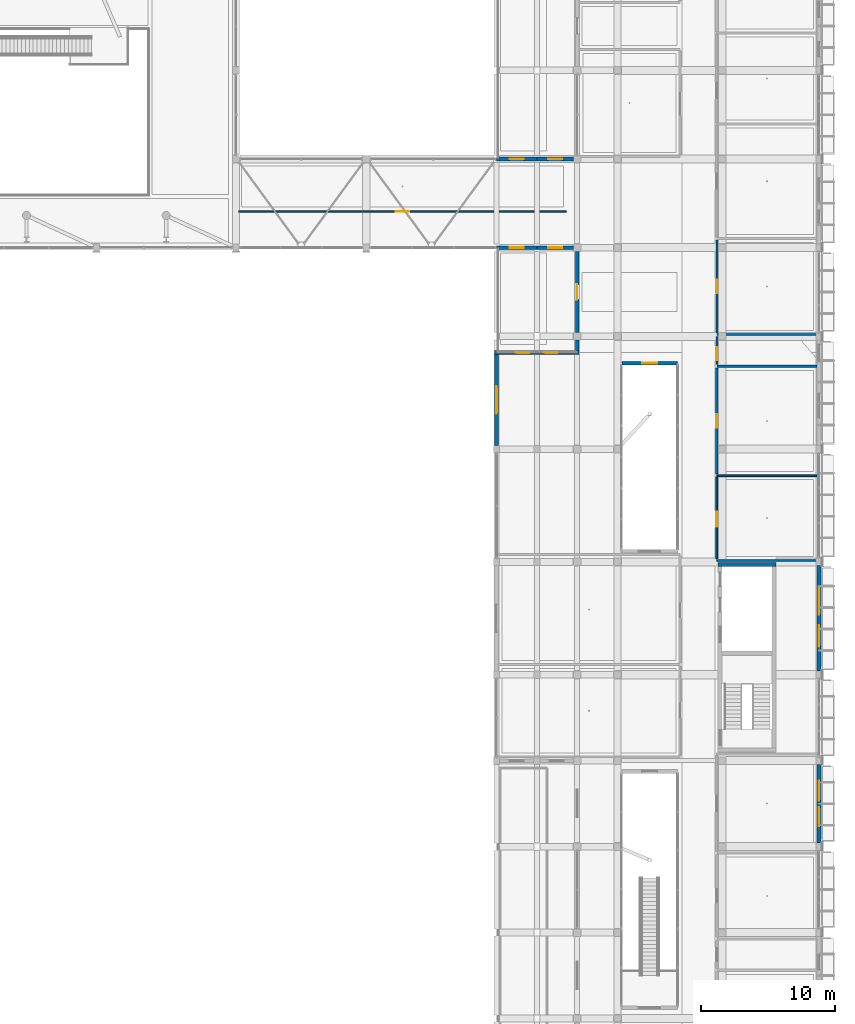
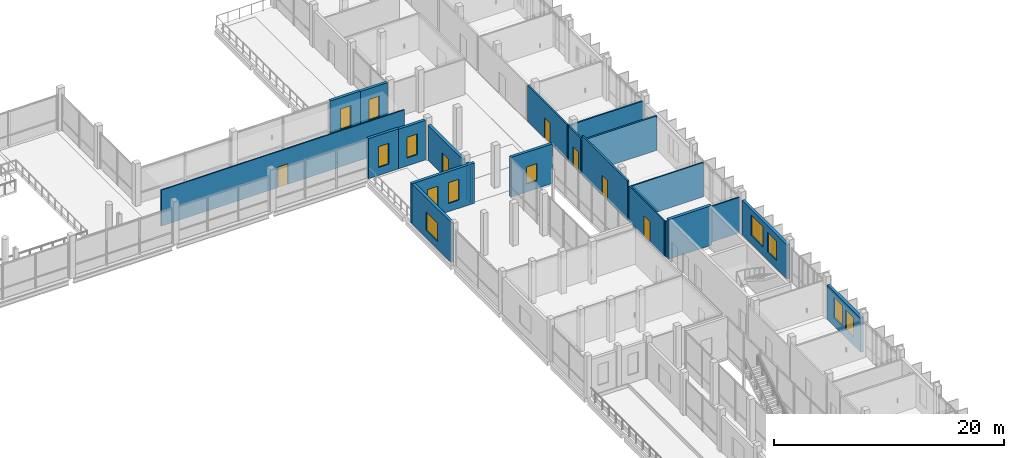
# One storey, part 63 of 95: 21 walls, 12 windows, 6 doors, 18 openings.
"""IFC4 building model written with IfcOpenShell, lengths in metres."""

from ifc_helpers import new_model, si_unit, derived_unit, direction, frame, frame_2d, origin, origin_with_axes, place, context, subcontext, project, spatial, rectangle, extrude, material, layer, layer_set, type_object, element, fill, save


model = new_model("IFC4")

# Units and contexts
model_context = context("Model", 3, precision=1e-05, world=origin(), true_north=direction((0.0, 1.0)))
body_context = subcontext(model_context, "Body", "Model", "MODEL_VIEW")
ifc_project = project(units=[si_unit("LENGTHUNIT", "METRE"), si_unit("AREAUNIT", "SQUARE_METRE"), si_unit("VOLUMEUNIT", "CUBIC_METRE"), si_unit("PLANEANGLEUNIT", "RADIAN"), si_unit("MASSUNIT", "GRAM", prefix="KILO"), derived_unit("THERMALTRANSMITTANCEUNIT", [(si_unit("POWERUNIT", "WATT"), 1), (si_unit("LENGTHUNIT", "METRE"), -2), (si_unit("THERMODYNAMICTEMPERATUREUNIT", "KELVIN"), -1)])], contexts=[model_context])

# Site, building, storey
site_placement = place(None, origin())
site = spatial("IfcSite", under=ifc_project, at=site_placement, CompositionType="ELEMENT")
building_placement = place(site_placement, origin())
building = spatial("IfcBuilding", under=site, at=building_placement, Name="Braskholm Square Health Centre", CompositionType="ELEMENT")
storey_placement = place(building_placement, frame((0.0, 0.0, 4.800048828125)))
storey = spatial("IfcBuildingStorey", under=building, at=storey_placement, Name="L02", CompositionType="ELEMENT", Elevation=4.800048828125)

# Wall, opening, door
ifc_material_1 = material(Name="Fire-rated gypsum board barrier")
ifc_layer_1 = layer(ifc_material_1, 0.175048828125)
ifc_layer_set_1 = layer_set([ifc_layer_1], Name="Fire-rated gypsum board barrier")
wall_type_1 = type_object("IfcWallType", Name="AmbulatoryFirePartition175", PredefinedType="PARTITIONING", material=ifc_layer_set_1)
wall_1_placement = place(storey_placement, frame((156.199951171875, 70.340087890625, 0.0), z_axis=(0.0, 0.0, 1.0), x_axis=(0.0, 1.0, 0.0)))
wall_1 = element("IfcWall", 1, at=wall_1_placement, inside=storey, type_object=wall_type_1, Name="Interior partition PWALL-L02-0352", PredefinedType="PARTITIONING", context=body_context, shape_type="SweptSolid", body=[
    extrude(rectangle(XDim=7.909912109375, YDim=0.175048828125, at=frame_2d((3.955078125, 0.0))), origin(), (0.0, 0.0, 1.0), 4.195068359375),
])
opening_1_placement = place(wall_1_placement, frame((3.465087890625, 0.0, 0.0)))
opening_1 = element("IfcOpeningElement", 2, at=opening_1_placement, cuts=wall_1, Name="Opening D-10", PredefinedType="OPENING", context=body_context, shape_type="SweptSolid", body=[
    extrude(rectangle(XDim=0.97998046875, YDim=2.1201171875, at=frame_2d((0.489990234375, 1.06005859375))), frame((0.0, 0.09765625, 0.0), z_axis=(0.0, -1.0, 0.0), x_axis=(1.0, 0.0, 0.0)), (0.0, 0.0, 1.0), 0.195068359375),
])
ifc_material_2 = material(Name="Architectural bronze anodised aluminium", Category="aluminium")
door_type_1 = type_object("IfcDoorType", Name="DoorUtilityStore980x2120", OperationType="NOTDEFINED", PredefinedType="DOOR", material=ifc_material_2)
door_1_placement = place(opening_1_placement, frame((0.97998046875, 0.0, 0.0), z_axis=(0.0, 0.0, 1.0), x_axis=(-1.0, 0.0, 0.0)))
door_1 = element("IfcDoor", 3, at=door_1_placement, inside=storey, type_object=door_type_1, Name="Interior door 0164 L02", OperationType="SINGLE_SWING_LEFT", OverallHeight=2.1201171875, OverallWidth=0.97998046875, PredefinedType="DOOR", context=body_context, shape_type="SweptSolid", body=[
    extrude(rectangle(XDim=0.97998046875, YDim=2.1201171875, at=frame_2d((0.489990234375, 1.06005859375))), frame((0.0, 0.02490234375, 0.0), z_axis=(0.0, -1.0, 0.0), x_axis=(1.0, 0.0, 0.0)), (0.0, 0.0, 1.0), 0.050048828125),
])
fill(opening_1, door_1)

# Wall
wall_2_placement = place(storey_placement, frame((156.199951171875, 78.3701171875, 0.0), z_axis=(0.0, 0.0, 1.0), x_axis=(1.0, 0.0, 0.0)))
element("IfcWall", 4, at=wall_2_placement, inside=storey, type_object=wall_type_1, Name="Interior partition PWALL-L02-0353", PredefinedType="PARTITIONING", context=body_context, shape_type="SweptSolid", body=[
    extrude(rectangle(XDim=7.4599609375, YDim=0.175048828125, at=frame_2d((3.72998046875, 0.0))), origin(), (0.0, 0.0, 1.0), 3.64501953125),
])

# Wall, opening, door
ifc_material_3 = material(Name="Acoustic gypsum board partition")
ifc_layer_2 = layer(ifc_material_3, 0.125)
ifc_layer_set_2 = layer_set([ifc_layer_2], Name="Acoustic gypsum board partition")
wall_type_2 = type_object("IfcWallType", Name="ClinicalExamPartition125", PredefinedType="PARTITIONING", material=ifc_layer_set_2)
wall_3_placement = place(storey_placement, frame((156.199951171875, 64.02001953125, 0.0), z_axis=(0.0, 0.0, 1.0), x_axis=(0.0, 1.0, 0.0)))
wall_3 = element("IfcWall", 5, at=wall_3_placement, inside=storey, type_object=wall_type_2, Name="Interior partition PWALL-L02-0349", PredefinedType="PARTITIONING", context=body_context, shape_type="SweptSolid", body=[
    extrude(rectangle(XDim=6.080078125, YDim=0.125, at=frame_2d((3.0400390625, 0.0))), origin(), (0.0, 0.0, 1.0), 3.794921875),
])
opening_2_placement = place(wall_3_placement, frame((2.403076171875, 0.0, 0.0)))
opening_2 = element("IfcOpeningElement", 6, at=opening_2_placement, cuts=wall_3, Name="Opening D-03", PredefinedType="OPENING", context=body_context, shape_type="SweptSolid", body=[
    extrude(rectangle(XDim=1.1201171875, YDim=2.199951171875, at=frame_2d((0.56005859375, 1.10009765625))), frame((0.0, 0.072509765625, 0.0), z_axis=(0.0, -1.0, 0.0), x_axis=(1.0, 0.0, 0.0)), (0.0, 0.0, 1.0), 0.14501953125),
])
door_type_2 = type_object("IfcDoorType", Name="DoorProcedure1120x2200", OperationType="NOTDEFINED", PredefinedType="DOOR", material=ifc_material_2)
door_2_placement = place(opening_2_placement, frame((1.1201171875, 0.0, 0.0), z_axis=(0.0, 0.0, 1.0), x_axis=(-1.0, 0.0, 0.0)))
door_2 = element("IfcDoor", 7, at=door_2_placement, inside=storey, type_object=door_type_2, Name="Interior door 0163 L02", OperationType="SINGLE_SWING_RIGHT", OverallHeight=2.199951171875, OverallWidth=1.1201171875, PredefinedType="DOOR", context=body_context, shape_type="SweptSolid", body=[
    extrude(rectangle(XDim=1.1201171875, YDim=2.199951171875, at=frame_2d((0.56005859375, 1.10009765625))), frame((0.0, 0.02490234375, 0.0), z_axis=(0.0, -1.0, 0.0), x_axis=(1.0, 0.0, 0.0)), (0.0, 0.0, 1.0), 0.050048828125),
])
fill(opening_2, door_2)

# Walls
wall_4_placement = place(storey_placement, frame((156.199951171875, 63.89990234375, 0.0), z_axis=(0.0, 0.0, 1.0), x_axis=(1.0, 0.0, 0.0)))
element("IfcWall", 8, at=wall_4_placement, inside=storey, type_object=wall_type_2, Name="Interior partition PWALL-L02-0350", PredefinedType="PARTITIONING", context=body_context, shape_type="SweptSolid", body=[
    extrude(rectangle(XDim=7.4599609375, YDim=0.125, at=frame_2d((3.72998046875, 0.0))), origin(), (0.0, 0.0, 1.0), 3.794921875),
])
wall_5_placement = place(storey_placement, frame((156.199951171875, 70.219970703125, 0.0), z_axis=(0.0, 0.0, 1.0), x_axis=(1.0, 0.0, 0.0)))
element("IfcWall", 9, at=wall_5_placement, inside=storey, type_object=wall_type_2, Name="Interior partition PWALL-L02-0351", PredefinedType="PARTITIONING", context=body_context, shape_type="SweptSolid", body=[
    extrude(rectangle(XDim=7.4599609375, YDim=0.125, at=frame_2d((3.72998046875, 0.0))), origin(), (0.0, 0.0, 1.0), 3.64501953125),
])

# Wall, opening, door
wall_6_placement = place(storey_placement, frame((120.60009765625, 89.89990234375, 0.0), z_axis=(0.0, 0.0, 1.0), x_axis=(1.0, 0.0, 0.0)))
wall_6 = element("IfcWall", 10, at=wall_6_placement, inside=storey, type_object=wall_type_2, Name="Interior partition PWALL-L02-0365", PredefinedType="PARTITIONING", context=body_context, shape_type="SweptSolid", body=[
    extrude(rectangle(XDim=24.39990234375, YDim=0.125, at=frame_2d((12.199951171875, 0.0))), origin(), (0.0, 0.0, 1.0), 3.81494140625),
])
opening_3_placement = place(wall_6_placement, frame((11.68994140625, 0.0, 0.0)))
opening_3 = element("IfcOpeningElement", 11, at=opening_3_placement, cuts=wall_6, Name="Opening D-25", PredefinedType="OPENING", context=body_context, shape_type="SweptSolid", body=[
    extrude(rectangle(XDim=1.02001953125, YDim=2.179931640625, at=frame_2d((0.510009765625, 1.08984375))), frame((0.0, 0.072509765625, 0.0), z_axis=(0.0, -1.0, 0.0), x_axis=(1.0, 0.0, 0.0)), (0.0, 0.0, 1.0), 0.14501953125),
])
door_type_3 = type_object("IfcDoorType", Name="DoorConsultWide1020x2180", OperationType="NOTDEFINED", PredefinedType="DOOR", material=ifc_material_2)
door_3_placement = place(opening_3_placement, origin_with_axes())
door_3 = element("IfcDoor", 12, at=door_3_placement, inside=storey, type_object=door_type_3, Name="Interior door 0171 L02", OperationType="SINGLE_SWING_RIGHT", OverallHeight=2.179931640625, OverallWidth=1.02001953125, PredefinedType="DOOR", context=body_context, shape_type="SweptSolid", body=[
    extrude(rectangle(XDim=1.02001953125, YDim=2.179931640625, at=frame_2d((0.510009765625, 1.08984375))), frame((0.0, 0.02490234375, 0.0), z_axis=(0.0, -1.0, 0.0), x_axis=(1.0, 0.0, 0.0)), (0.0, 0.0, 1.0), 0.050048828125),
])
fill(opening_3, door_3)

ifc_layer_3 = layer(ifc_material_3, 0.14990234375)
ifc_layer_set_3 = layer_set([ifc_layer_3], Name="Acoustic gypsum board partition")
wall_type_3 = type_object("IfcWallType", Name="CorridorAcousticPartition150", PredefinedType="PARTITIONING", material=ifc_layer_set_3)
wall_7_placement = place(storey_placement, frame((156.199951171875, 78.489990234375, 0.0), z_axis=(0.0, 0.0, 1.0), x_axis=(0.0, 1.0, 0.0)))
wall_7 = element("IfcWall", 13, at=wall_7_placement, inside=storey, type_object=wall_type_3, Name="Interior partition PWALL-L02-0354", PredefinedType="PARTITIONING", context=body_context, shape_type="SweptSolid", body=[
    extrude(rectangle(XDim=2.110107421875, YDim=0.14990234375, at=frame_2d((1.05517578125, 0.0))), origin(), (0.0, 0.0, 1.0), 3.794921875),
])
opening_4_placement = place(wall_7_placement, frame((0.339111328125, 0.0, 0.0)))
opening_4 = element("IfcOpeningElement", 14, at=opening_4_placement, cuts=wall_7, Name="Opening D-05", PredefinedType="OPENING", context=body_context, shape_type="SweptSolid", body=[
    extrude(rectangle(XDim=0.9599609375, YDim=2.10009765625, at=frame_2d((0.47998046875, 1.050048828125))), frame((0.0, 0.0849609375, 0.0), z_axis=(0.0, -1.0, 0.0), x_axis=(1.0, 0.0, 0.0)), (0.0, 0.0, 1.0), 0.169921875),
])
door_type_4 = type_object("IfcDoorType", Name="DoorAccessibleWC960x2100", OperationType="NOTDEFINED", PredefinedType="DOOR", material=ifc_material_2)
door_4_placement = place(opening_4_placement, frame((0.9599609375, 0.0, 0.0), z_axis=(0.0, 0.0, 1.0), x_axis=(-1.0, 0.0, 0.0)))
door_4 = element("IfcDoor", 15, at=door_4_placement, inside=storey, type_object=door_type_4, Name="Interior door 0165 L02", OperationType="SINGLE_SWING_RIGHT", OverallHeight=2.10009765625, OverallWidth=0.9599609375, PredefinedType="DOOR", context=body_context, shape_type="SweptSolid", body=[
    extrude(rectangle(XDim=0.9599609375, YDim=2.10009765625, at=frame_2d((0.47998046875, 1.050048828125))), frame((0.0, 0.02490234375, 0.0), z_axis=(0.0, -1.0, 0.0), x_axis=(1.0, 0.0, 0.0)), (0.0, 0.0, 1.0), 0.050048828125),
])
fill(opening_4, door_4)

# Wall
wall_8_placement = place(storey_placement, frame((156.199951171875, 80.719970703125, 0.0), z_axis=(0.0, 0.0, 1.0), x_axis=(1.0, 0.0, 0.0)))
element("IfcWall", 16, at=wall_8_placement, inside=storey, type_object=wall_type_3, Name="Interior partition PWALL-L02-0355", PredefinedType="PARTITIONING", context=body_context, shape_type="SweptSolid", body=[
    extrude(rectangle(XDim=7.4599609375, YDim=0.14990234375, at=frame_2d((3.72998046875, 0.0))), origin(), (0.0, 0.0, 1.0), 3.794921875),
])

# Wall, opening, door
wall_9_placement = place(storey_placement, frame((156.199951171875, 80.840087890625, 0.0), z_axis=(0.0, 0.0, 1.0), x_axis=(0.0, 1.0, 0.0)))
wall_9 = element("IfcWall", 17, at=wall_9_placement, inside=storey, type_object=wall_type_3, Name="Interior partition PWALL-L02-0356", PredefinedType="PARTITIONING", context=body_context, shape_type="SweptSolid", body=[
    extrude(rectangle(XDim=6.919921875, YDim=0.14990234375, at=frame_2d((3.4599609375, 0.0))), origin(), (0.0, 0.0, 1.0), 3.794921875),
])
opening_5_placement = place(wall_9_placement, frame((2.9599609375, 0.0, 0.0)))
opening_5 = element("IfcOpeningElement", 18, at=opening_5_placement, cuts=wall_9, Name="Opening D-02", PredefinedType="OPENING", context=body_context, shape_type="SweptSolid", body=[
    extrude(rectangle(XDim=1.0, YDim=2.14990234375, at=frame_2d((0.5, 1.074951171875))), frame((0.0, 0.0849609375, 0.0), z_axis=(0.0, -1.0, 0.0), x_axis=(1.0, 0.0, 0.0)), (0.0, 0.0, 1.0), 0.169921875),
])
door_type_5 = type_object("IfcDoorType", Name="DoorExamSingle1000x2150", OperationType="NOTDEFINED", PredefinedType="DOOR", material=ifc_material_2)
door_5_placement = place(opening_5_placement, frame((1.0, 0.0, 0.0), z_axis=(0.0, 0.0, 1.0), x_axis=(-1.0, 0.0, 0.0)))
door_5 = element("IfcDoor", 19, at=door_5_placement, inside=storey, type_object=door_type_5, Name="Interior door 0166 L02", OperationType="SINGLE_SWING_LEFT", OverallHeight=2.14990234375, OverallWidth=1.0, PredefinedType="DOOR", context=body_context, shape_type="SweptSolid", body=[
    extrude(rectangle(XDim=1.0, YDim=2.14990234375, at=frame_2d((0.5, 1.074951171875))), frame((0.0, 0.02490234375, 0.0), z_axis=(0.0, -1.0, 0.0), x_axis=(1.0, 0.0, 0.0)), (0.0, 0.0, 1.0), 0.050048828125),
])
fill(opening_5, door_5)

# Wall, openings, windows
ifc_material_4 = material(Name="Precast concrete C40/50 architectural white", Category="concrete")
ifc_layer_4 = layer(ifc_material_4, 0.280029296875)
ifc_layer_set_4 = layer_set([ifc_layer_4], Name="Precast concrete C40/50 architectural white")
wall_type_4 = type_object("IfcWallType", Name="ExteriorPrecastSpandrelWall280", PredefinedType="SOLIDWALL", material=ifc_layer_set_4)
wall_10_placement = place(storey_placement, frame((163.800048828125, 42.882080078125, 0.0), z_axis=(0.0, 0.0, 1.0), x_axis=(0.0, 1.0, 0.0)))
wall_10 = element("IfcWall", 20, at=wall_10_placement, inside=storey, type_object=wall_type_4, Name="Exterior wall EWALL-L02-0065", PredefinedType="SOLIDWALL", context=body_context, shape_type="SweptSolid", body=[
    extrude(rectangle(XDim=5.8359375, YDim=0.280029296875, at=frame_2d((2.91796875, 0.0))), origin(), (0.0, 0.0, 1.0), 3.64990234375),
])
opening_6_placement = place(wall_10_placement, frame((1.2451171875, 0.0, 0.8798828125)))
opening_6 = element("IfcOpeningElement", 21, at=opening_6_placement, cuts=wall_10, Name="Opening WN-14", PredefinedType="OPENING", context=body_context, shape_type="SweptSolid", body=[
    extrude(rectangle(XDim=1.39990234375, YDim=2.050048828125, at=frame_2d((0.699951171875, 1.02490234375))), frame((0.0, 0.14990234375, 0.0), z_axis=(0.0, -1.0, 0.0), x_axis=(1.0, 0.0, 0.0)), (0.0, 0.0, 1.0), 0.300048828125),
])
opening_7_placement = place(wall_10_placement, frame((3.14111328125, 0.0, 0.8798828125)))
opening_7 = element("IfcOpeningElement", 22, at=opening_7_placement, cuts=wall_10, Name="Opening WN-03", PredefinedType="OPENING", context=body_context, shape_type="SweptSolid", body=[
    extrude(rectangle(XDim=1.5, YDim=2.199951171875, at=frame_2d((0.75, 1.10009765625))), frame((0.0, 0.14990234375, 0.0), z_axis=(0.0, -1.0, 0.0), x_axis=(1.0, 0.0, 0.0)), (0.0, 0.0, 1.0), 0.300048828125),
])
ifc_material_5 = material(Name="Low-E triple insulating glass (VLT 0.64)", Category="glass")
window_type_1 = type_object("IfcWindowType", Name="WinArtDecoTwin1500x2200", PartitioningType="SINGLE_PANEL", PredefinedType="WINDOW", material=ifc_material_5)
window_1_placement = place(opening_7_placement, origin_with_axes())
window_1 = element("IfcWindow", 23, at=window_1_placement, inside=storey, type_object=window_type_1, Name="Exterior window 0112 L02", OverallHeight=2.199951171875, OverallWidth=1.5, PartitioningType="SINGLE_PANEL", PredefinedType="WINDOW", context=body_context, shape_type="SweptSolid", body=[
    extrude(rectangle(XDim=1.5, YDim=2.199951171875, at=frame_2d((0.75, 1.10009765625))), frame((0.0, 0.030029296875, 0.0), z_axis=(0.0, -1.0, 0.0), x_axis=(1.0, 0.0, 0.0)), (0.0, 0.0, 1.0), 0.06005859375),
])
fill(opening_7, window_1)
window_type_2 = type_object("IfcWindowType", Name="WinClinicalTall1400x2050", PartitioningType="SINGLE_PANEL", PredefinedType="WINDOW", material=ifc_material_5)
window_2_placement = place(opening_6_placement, origin_with_axes())
window_2 = element("IfcWindow", 24, at=window_2_placement, inside=storey, type_object=window_type_2, Name="Exterior window 0111 L02", OverallHeight=2.050048828125, OverallWidth=1.39990234375, PartitioningType="SINGLE_PANEL", PredefinedType="WINDOW", context=body_context, shape_type="SweptSolid", body=[
    extrude(rectangle(XDim=1.39990234375, YDim=2.050048828125, at=frame_2d((0.699951171875, 1.02490234375))), frame((0.0, 0.030029296875, 0.0), z_axis=(0.0, -1.0, 0.0), x_axis=(1.0, 0.0, 0.0)), (0.0, 0.0, 1.0), 0.06005859375),
])
fill(opening_6, window_2)

wall_11_placement = place(storey_placement, frame((163.800048828125, 55.681884765625, 0.0), z_axis=(0.0, 0.0, 1.0), x_axis=(0.0, 1.0, 0.0)))
wall_11 = element("IfcWall", 25, at=wall_11_placement, inside=storey, type_object=wall_type_4, Name="Exterior wall EWALL-L02-0066", PredefinedType="SOLIDWALL", context=body_context, shape_type="SweptSolid", body=[
    extrude(rectangle(XDim=7.836181640625, YDim=0.280029296875, at=frame_2d((3.91796875, 0.0))), origin(), (0.0, 0.0, 1.0), 3.64990234375),
])
opening_8_placement = place(wall_11_placement, frame((1.81201171875, 0.0, 0.8798828125)))
opening_8 = element("IfcOpeningElement", 26, at=opening_8_placement, cuts=wall_11, Name="Opening WN-15", PredefinedType="OPENING", context=body_context, shape_type="SweptSolid", body=[
    extrude(rectangle(XDim=1.60009765625, YDim=2.050048828125, at=frame_2d((0.800048828125, 1.02490234375))), frame((0.0, 0.14990234375, 0.0), z_axis=(0.0, -1.0, 0.0), x_axis=(1.0, 0.0, 0.0)), (0.0, 0.0, 1.0), 0.300048828125),
])
opening_9_placement = place(wall_11_placement, frame((4.174072265625, 0.0, 0.8798828125)))
opening_9 = element("IfcOpeningElement", 27, at=opening_9_placement, cuts=wall_11, Name="Opening WN-04", PredefinedType="OPENING", context=body_context, shape_type="SweptSolid", body=[
    extrude(rectangle(XDim=2.10009765625, YDim=2.199951171875, at=frame_2d((1.050048828125, 1.10009765625))), frame((0.0, 0.14990234375, 0.0), z_axis=(0.0, -1.0, 0.0), x_axis=(1.0, 0.0, 0.0)), (0.0, 0.0, 1.0), 0.300048828125),
])
window_type_3 = type_object("IfcWindowType", Name="WinArtDecoTriple2100x2200", PartitioningType="SINGLE_PANEL", PredefinedType="WINDOW", material=ifc_material_5)
window_3_placement = place(opening_9_placement, origin_with_axes())
window_3 = element("IfcWindow", 28, at=window_3_placement, inside=storey, type_object=window_type_3, Name="Exterior window 0114 L02", OverallHeight=2.199951171875, OverallWidth=2.10009765625, PartitioningType="SINGLE_PANEL", PredefinedType="WINDOW", context=body_context, shape_type="SweptSolid", body=[
    extrude(rectangle(XDim=2.10009765625, YDim=2.199951171875, at=frame_2d((1.050048828125, 1.10009765625))), frame((0.0, 0.030029296875, 0.0), z_axis=(0.0, -1.0, 0.0), x_axis=(1.0, 0.0, 0.0)), (0.0, 0.0, 1.0), 0.06005859375),
])
fill(opening_9, window_3)
window_type_4 = type_object("IfcWindowType", Name="WinClinicalTall1600x2050", PartitioningType="SINGLE_PANEL", PredefinedType="WINDOW", material=ifc_material_5)
window_4_placement = place(opening_8_placement, origin_with_axes())
window_4 = element("IfcWindow", 29, at=window_4_placement, inside=storey, type_object=window_type_4, Name="Exterior window 0113 L02", OverallHeight=2.050048828125, OverallWidth=1.60009765625, PartitioningType="SINGLE_PANEL", PredefinedType="WINDOW", context=body_context, shape_type="SweptSolid", body=[
    extrude(rectangle(XDim=1.60009765625, YDim=2.050048828125, at=frame_2d((0.800048828125, 1.02490234375))), frame((0.0, 0.030029296875, 0.0), z_axis=(0.0, -1.0, 0.0), x_axis=(1.0, 0.0, 0.0)), (0.0, 0.0, 1.0), 0.06005859375),
])
fill(opening_8, window_4)

# Wall, opening, window
wall_12_placement = place(storey_placement, frame((139.800048828125, 79.258056640625, 0.0), z_axis=(0.0, 0.0, 1.0), x_axis=(0.0, -1.0, 0.0)))
wall_12 = element("IfcWall", 30, at=wall_12_placement, inside=storey, type_object=wall_type_4, Name="Exterior wall EWALL-L02-0178", PredefinedType="SOLIDWALL", context=body_context, shape_type="SweptSolid", body=[
    extrude(rectangle(XDim=6.7861328125, YDim=0.280029296875, at=frame_2d((3.39306640625, 0.0))), origin(), (0.0, 0.0, 1.0), 4.25),
])
opening_10_placement = place(wall_12_placement, frame((2.367919921875, 0.0, 0.800048828125)))
opening_10 = element("IfcOpeningElement", 31, at=opening_10_placement, cuts=wall_12, Name="Opening WN-25", PredefinedType="OPENING", context=body_context, shape_type="SweptSolid", body=[
    extrude(rectangle(XDim=2.050048828125, YDim=1.949951171875, at=frame_2d((1.02490234375, 0.97509765625))), frame((0.0, 0.14990234375, 0.0), z_axis=(0.0, -1.0, 0.0), x_axis=(1.0, 0.0, 0.0)), (0.0, 0.0, 1.0), 0.300048828125),
])
window_type_5 = type_object("IfcWindowType", Name="WinValleyTerrace2050x1950", PartitioningType="SINGLE_PANEL", PredefinedType="WINDOW", material=ifc_material_5)
window_5_placement = place(opening_10_placement, origin_with_axes())
window_5 = element("IfcWindow", 32, at=window_5_placement, inside=storey, type_object=window_type_5, Name="Exterior window 0240 L02", OverallHeight=1.949951171875, OverallWidth=2.050048828125, PartitioningType="SINGLE_PANEL", PredefinedType="WINDOW", context=body_context, shape_type="SweptSolid", body=[
    extrude(rectangle(XDim=2.050048828125, YDim=1.949951171875, at=frame_2d((1.02490234375, 0.97509765625))), frame((0.0, 0.030029296875, 0.0), z_axis=(0.0, -1.0, 0.0), x_axis=(1.0, 0.0, 0.0)), (0.0, 0.0, 1.0), 0.06005859375),
])
fill(opening_10, window_5)

# Wall
wall_13_placement = place(storey_placement, frame((145.800048828125, 80.322998046875, 0.0), z_axis=(0.0, 0.0, 1.0), x_axis=(0.0, -1.0, 0.0)))
element("IfcWall", 33, at=wall_13_placement, inside=storey, type_object=wall_type_4, Name="Exterior wall EWALL-L02-0179", PredefinedType="SOLIDWALL", context=body_context, shape_type="SweptSolid", body=[
    extrude(rectangle(XDim=0.781005859375, YDim=0.280029296875, at=frame_2d((0.390625, 0.0))), origin(), (0.0, 0.0, 1.0), 3.739990234375),
])

# Wall, opening, door
wall_14_placement = place(storey_placement, frame((145.800048828125, 86.923095703125, 0.0), z_axis=(0.0, 0.0, 1.0), x_axis=(0.0, -1.0, 0.0)))
wall_14 = element("IfcWall", 34, at=wall_14_placement, inside=storey, type_object=wall_type_4, Name="Exterior wall EWALL-L02-0180", PredefinedType="SOLIDWALL", context=body_context, shape_type="SweptSolid", body=[
    extrude(rectangle(XDim=6.046142578125, YDim=0.280029296875, at=frame_2d((3.02294921875, 0.0))), origin(), (0.0, 0.0, 1.0), 3.739990234375),
])
opening_11_placement = place(wall_14_placement, frame((2.452880859375, 0.0, 0.0)))
opening_11 = element("IfcOpeningElement", 35, at=opening_11_placement, cuts=wall_14, Name="Opening D-T1", PredefinedType="OPENING", context=body_context, shape_type="SweptSolid", body=[
    extrude(rectangle(XDim=1.139892578125, YDim=2.300048828125, at=frame_2d((0.56982421875, 1.14990234375))), frame((0.0, 0.14990234375, 0.0), z_axis=(0.0, -1.0, 0.0), x_axis=(1.0, 0.0, 0.0)), (0.0, 0.0, 1.0), 0.300048828125),
])
door_type_6 = type_object("IfcDoorType", Name="DoorPlantedTerrace1140x2300", OperationType="NOTDEFINED", PredefinedType="DOOR", material=ifc_material_5)
door_6_placement = place(opening_11_placement, frame((1.139892578125, 0.0, 0.0), z_axis=(0.0, 0.0, 1.0), x_axis=(-1.0, 0.0, 0.0)))
door_6 = element("IfcDoor", 36, at=door_6_placement, inside=storey, type_object=door_type_6, Name="Exterior door 0025 L02", OperationType="SINGLE_SWING_RIGHT", OverallHeight=2.300048828125, OverallWidth=1.139892578125, PredefinedType="DOOR", context=body_context, shape_type="SweptSolid", body=[
    extrude(rectangle(XDim=1.139892578125, YDim=2.300048828125, at=frame_2d((0.56982421875, 1.14990234375))), frame((0.0, 0.02490234375, 0.0), z_axis=(0.0, -1.0, 0.0), x_axis=(1.0, 0.0, 0.0)), (0.0, 0.0, 1.0), 0.050048828125),
])
fill(opening_11, door_6)

# Wall, openings, windows
wall_15_placement = place(storey_placement, frame((145.93994140625, 79.39990234375, 0.0), z_axis=(0.0, 0.0, 1.0), x_axis=(-1.0, 0.0, 0.0)))
wall_15 = element("IfcWall", 37, at=wall_15_placement, inside=storey, type_object=wall_type_4, Name="Exterior wall EWALL-L02-0220", PredefinedType="SOLIDWALL", context=body_context, shape_type="SweptSolid", body=[
    extrude(rectangle(XDim=6.280029296875, YDim=0.280029296875, at=frame_2d((3.14013671875, 0.0))), origin(), (0.0, 0.0, 1.0), 4.25),
])
opening_12_placement = place(wall_15_placement, frame((1.568115234375, 0.0, 0.8798828125)))
opening_12 = element("IfcOpeningElement", 38, at=opening_12_placement, cuts=wall_15, Name="Opening WN-02", PredefinedType="OPENING", context=body_context, shape_type="SweptSolid", body=[
    extrude(rectangle(XDim=1.050048828125, YDim=2.199951171875, at=frame_2d((0.52490234375, 1.10009765625))), frame((0.0, 0.14990234375, 0.0), z_axis=(0.0, -1.0, 0.0), x_axis=(1.0, 0.0, 0.0)), (0.0, 0.0, 1.0), 0.300048828125),
])
opening_13_placement = place(wall_15_placement, frame((3.662109375, 0.0, 0.8798828125)))
opening_13 = element("IfcOpeningElement", 39, at=opening_13_placement, cuts=wall_15, Name="Opening WN-02", PredefinedType="OPENING", context=body_context, shape_type="SweptSolid", body=[
    extrude(rectangle(XDim=1.050048828125, YDim=2.199951171875, at=frame_2d((0.52490234375, 1.10009765625))), frame((0.0, 0.14990234375, 0.0), z_axis=(0.0, -1.0, 0.0), x_axis=(1.0, 0.0, 0.0)), (0.0, 0.0, 1.0), 0.300048828125),
])
window_type_6 = type_object("IfcWindowType", Name="WinArtDecoLancet1050x2200", PartitioningType="SINGLE_PANEL", PredefinedType="WINDOW", material=ifc_material_5)
window_6_placement = place(opening_12_placement, origin_with_axes())
window_6 = element("IfcWindow", 40, at=window_6_placement, inside=storey, type_object=window_type_6, Name="Exterior window 0272 L02", OverallHeight=2.199951171875, OverallWidth=1.050048828125, PartitioningType="SINGLE_PANEL", PredefinedType="WINDOW", context=body_context, shape_type="SweptSolid", body=[
    extrude(rectangle(XDim=1.050048828125, YDim=2.199951171875, at=frame_2d((0.52490234375, 1.10009765625))), frame((0.0, 0.030029296875, 0.0), z_axis=(0.0, -1.0, 0.0), x_axis=(1.0, 0.0, 0.0)), (0.0, 0.0, 1.0), 0.06005859375),
])
fill(opening_12, window_6)
window_7_placement = place(opening_13_placement, origin_with_axes())
window_7 = element("IfcWindow", 41, at=window_7_placement, inside=storey, type_object=window_type_6, Name="Exterior window 0273 L02", OverallHeight=2.199951171875, OverallWidth=1.050048828125, PartitioningType="SINGLE_PANEL", PredefinedType="WINDOW", context=body_context, shape_type="SweptSolid", body=[
    extrude(rectangle(XDim=1.050048828125, YDim=2.199951171875, at=frame_2d((0.52490234375, 1.10009765625))), frame((0.0, 0.030029296875, 0.0), z_axis=(0.0, -1.0, 0.0), x_axis=(1.0, 0.0, 0.0)), (0.0, 0.0, 1.0), 0.06005859375),
])
fill(opening_13, window_7)

# Wall, opening, window
wall_16_placement = place(storey_placement, frame((139.804931640625, 87.199951171875, 0.0), z_axis=(0.0, 0.0, 1.0), x_axis=(1.0, 0.0, 0.0)))
wall_16 = element("IfcWall", 42, at=wall_16_placement, inside=storey, type_object=wall_type_4, Name="Exterior wall EWALL-L02-0269", PredefinedType="SOLIDWALL", context=body_context, shape_type="SweptSolid", body=[
    extrude(rectangle(XDim=2.989990234375, YDim=0.280029296875, at=frame_2d((1.4951171875, 0.0))), origin(), (0.0, 0.0, 1.0), 4.25),
])
opening_14_placement = place(wall_16_placement, frame((0.969970703125, 0.0, 0.85009765625)))
opening_14 = element("IfcOpeningElement", 43, at=opening_14_placement, cuts=wall_16, Name="Opening WN-02", PredefinedType="OPENING", context=body_context, shape_type="SweptSolid", body=[
    extrude(rectangle(XDim=1.050048828125, YDim=2.199951171875, at=frame_2d((0.52490234375, 1.10009765625))), frame((0.0, 0.14990234375, 0.0), z_axis=(0.0, -1.0, 0.0), x_axis=(1.0, 0.0, 0.0)), (0.0, 0.0, 1.0), 0.300048828125),
])
window_8_placement = place(opening_14_placement, origin_with_axes())
window_8 = element("IfcWindow", 44, at=window_8_placement, inside=storey, type_object=window_type_6, Name="Exterior window 0316 L02", OverallHeight=2.199951171875, OverallWidth=1.050048828125, PartitioningType="SINGLE_PANEL", PredefinedType="WINDOW", context=body_context, shape_type="SweptSolid", body=[
    extrude(rectangle(XDim=1.050048828125, YDim=2.199951171875, at=frame_2d((0.52490234375, 1.10009765625))), frame((0.0, 0.030029296875, 0.0), z_axis=(0.0, -1.0, 0.0), x_axis=(1.0, 0.0, 0.0)), (0.0, 0.0, 1.0), 0.06005859375),
])
fill(opening_14, window_8)

wall_17_placement = place(storey_placement, frame((142.794921875, 93.800048828125, 0.0), z_axis=(0.0, 0.0, 1.0), x_axis=(-1.0, 0.0, 0.0)))
wall_17 = element("IfcWall", 45, at=wall_17_placement, inside=storey, type_object=wall_type_4, Name="Exterior wall EWALL-L02-0272", PredefinedType="SOLIDWALL", context=body_context, shape_type="SweptSolid", body=[
    extrude(rectangle(XDim=2.989990234375, YDim=0.280029296875, at=frame_2d((1.4951171875, 0.0))), origin(), (0.0, 0.0, 1.0), 4.25),
])
opening_15_placement = place(wall_17_placement, frame((0.969970703125, 0.0, 0.85009765625)))
opening_15 = element("IfcOpeningElement", 46, at=opening_15_placement, cuts=wall_17, Name="Opening WN-02", PredefinedType="OPENING", context=body_context, shape_type="SweptSolid", body=[
    extrude(rectangle(XDim=1.050048828125, YDim=2.199951171875, at=frame_2d((0.52490234375, 1.10009765625))), frame((0.0, 0.14990234375, 0.0), z_axis=(0.0, -1.0, 0.0), x_axis=(1.0, 0.0, 0.0)), (0.0, 0.0, 1.0), 0.300048828125),
])
window_9_placement = place(opening_15_placement, origin_with_axes())
window_9 = element("IfcWindow", 47, at=window_9_placement, inside=storey, type_object=window_type_6, Name="Exterior window 0319 L02", OverallHeight=2.199951171875, OverallWidth=1.050048828125, PartitioningType="SINGLE_PANEL", PredefinedType="WINDOW", context=body_context, shape_type="SweptSolid", body=[
    extrude(rectangle(XDim=1.050048828125, YDim=2.199951171875, at=frame_2d((0.52490234375, 1.10009765625))), frame((0.0, 0.030029296875, 0.0), z_axis=(0.0, -1.0, 0.0), x_axis=(1.0, 0.0, 0.0)), (0.0, 0.0, 1.0), 0.06005859375),
])
fill(opening_15, window_9)

wall_18_placement = place(storey_placement, frame((142.804931640625, 87.199951171875, 0.0), z_axis=(0.0, 0.0, 1.0), x_axis=(1.0, 0.0, 0.0)))
wall_18 = element("IfcWall", 48, at=wall_18_placement, inside=storey, type_object=wall_type_4, Name="Exterior wall EWALL-L02-0275", PredefinedType="SOLIDWALL", context=body_context, shape_type="SweptSolid", body=[
    extrude(rectangle(XDim=2.718017578125, YDim=0.280029296875, at=frame_2d((1.35888671875, 0.0))), origin(), (0.0, 0.0, 1.0), 4.199951171875),
])
opening_16_placement = place(wall_18_placement, frame((0.833984375, 0.0, 0.85009765625)))
opening_16 = element("IfcOpeningElement", 49, at=opening_16_placement, cuts=wall_18, Name="Opening WN-02", PredefinedType="OPENING", context=body_context, shape_type="SweptSolid", body=[
    extrude(rectangle(XDim=1.050048828125, YDim=2.199951171875, at=frame_2d((0.52490234375, 1.10009765625))), frame((0.0, 0.14990234375, 0.0), z_axis=(0.0, -1.0, 0.0), x_axis=(1.0, 0.0, 0.0)), (0.0, 0.0, 1.0), 0.300048828125),
])
window_10_placement = place(opening_16_placement, origin_with_axes())
window_10 = element("IfcWindow", 50, at=window_10_placement, inside=storey, type_object=window_type_6, Name="Exterior window 0322 L02", OverallHeight=2.199951171875, OverallWidth=1.050048828125, PartitioningType="SINGLE_PANEL", PredefinedType="WINDOW", context=body_context, shape_type="SweptSolid", body=[
    extrude(rectangle(XDim=1.050048828125, YDim=2.199951171875, at=frame_2d((0.52490234375, 1.10009765625))), frame((0.0, 0.030029296875, 0.0), z_axis=(0.0, -1.0, 0.0), x_axis=(1.0, 0.0, 0.0)), (0.0, 0.0, 1.0), 0.06005859375),
])
fill(opening_16, window_10)

wall_19_placement = place(storey_placement, frame((145.52294921875, 93.800048828125, 0.0), z_axis=(0.0, 0.0, 1.0), x_axis=(-1.0, 0.0, 0.0)))
wall_19 = element("IfcWall", 51, at=wall_19_placement, inside=storey, type_object=wall_type_4, Name="Exterior wall EWALL-L02-0278", PredefinedType="SOLIDWALL", context=body_context, shape_type="SweptSolid", body=[
    extrude(rectangle(XDim=2.718017578125, YDim=0.280029296875, at=frame_2d((1.35888671875, 0.0))), origin(), (0.0, 0.0, 1.0), 4.199951171875),
])
opening_17_placement = place(wall_19_placement, frame((0.833984375, 0.0, 0.85009765625)))
opening_17 = element("IfcOpeningElement", 52, at=opening_17_placement, cuts=wall_19, Name="Opening WN-02", PredefinedType="OPENING", context=body_context, shape_type="SweptSolid", body=[
    extrude(rectangle(XDim=1.050048828125, YDim=2.199951171875, at=frame_2d((0.52490234375, 1.10009765625))), frame((0.0, 0.14990234375, 0.0), z_axis=(0.0, -1.0, 0.0), x_axis=(1.0, 0.0, 0.0)), (0.0, 0.0, 1.0), 0.300048828125),
])
window_11_placement = place(opening_17_placement, origin_with_axes())
window_11 = element("IfcWindow", 53, at=window_11_placement, inside=storey, type_object=window_type_6, Name="Exterior window 0325 L02", OverallHeight=2.199951171875, OverallWidth=1.050048828125, PartitioningType="SINGLE_PANEL", PredefinedType="WINDOW", context=body_context, shape_type="SweptSolid", body=[
    extrude(rectangle(XDim=1.050048828125, YDim=2.199951171875, at=frame_2d((0.52490234375, 1.10009765625))), frame((0.0, 0.030029296875, 0.0), z_axis=(0.0, -1.0, 0.0), x_axis=(1.0, 0.0, 0.0)), (0.0, 0.0, 1.0), 0.06005859375),
])
fill(opening_17, window_11)

wall_20_placement = place(storey_placement, frame((149.134033203125, 78.60009765625, 0.0), z_axis=(0.0, 0.0, 1.0), x_axis=(1.0, 0.0, 0.0)))
wall_20 = element("IfcWall", 54, at=wall_20_placement, inside=storey, type_object=wall_type_4, Name="Exterior wall EWALL-L02-0320", PredefinedType="SOLIDWALL", context=body_context, shape_type="SweptSolid", body=[
    extrude(rectangle(XDim=4.132080078125, YDim=0.280029296875, at=frame_2d((2.06591796875, 0.0))), origin(), (0.0, 0.0, 1.0), 4.199951171875),
])
opening_18_placement = place(wall_20_placement, frame((1.51611328125, 0.0, 0.85009765625)))
opening_18 = element("IfcOpeningElement", 55, at=opening_18_placement, cuts=wall_20, Name="Opening WN-26", PredefinedType="OPENING", context=body_context, shape_type="SweptSolid", body=[
    extrude(rectangle(XDim=1.10009765625, YDim=1.800048828125, at=frame_2d((0.550048828125, 0.89990234375))), frame((0.0, 0.14990234375, 0.0), z_axis=(0.0, -1.0, 0.0), x_axis=(1.0, 0.0, 0.0)), (0.0, 0.0, 1.0), 0.300048828125),
])
window_type_7 = type_object("IfcWindowType", Name="WinLightCourt1100x1800", PartitioningType="SINGLE_PANEL", PredefinedType="WINDOW", material=ifc_material_5)
window_12_placement = place(opening_18_placement, origin_with_axes())
window_12 = element("IfcWindow", 56, at=window_12_placement, inside=storey, type_object=window_type_7, Name="Exterior window 0366 L02", OverallHeight=1.800048828125, OverallWidth=1.10009765625, PartitioningType="SINGLE_PANEL", PredefinedType="WINDOW", context=body_context, shape_type="SweptSolid", body=[
    extrude(rectangle(XDim=1.10009765625, YDim=1.800048828125, at=frame_2d((0.550048828125, 0.89990234375))), frame((0.0, 0.030029296875, 0.0), z_axis=(0.0, -1.0, 0.0), x_axis=(1.0, 0.0, 0.0)), (0.0, 0.0, 1.0), 0.06005859375),
])
fill(opening_18, window_12)

# Wall
ifc_material_6 = material(Name="Concrete C40/50 (f'c = 40 MPa)", Category="concrete")
ifc_layer_5 = layer(ifc_material_6, 0.300048828125)
ifc_layer_set_5 = layer_set([ifc_layer_5], Name="Concrete C40/50 (f'c = 40 MPa)")
wall_type_5 = type_object("IfcWallType", Name="ShearCoreWall300", PredefinedType="SHEAR", material=ifc_layer_set_5)
wall_21_placement = place(storey_placement, frame((160.60009765625, 63.60009765625, 0.0), z_axis=(0.0, 0.0, 1.0), x_axis=(-1.0, 0.0, 0.0)))
element("IfcWall", 57, at=wall_21_placement, inside=storey, type_object=wall_type_5, Name="CWALL-K4-L02 north wall", PredefinedType="SHEAR", context=body_context, shape_type="SweptSolid", body=[
    extrude(rectangle(XDim=4.300048828125, YDim=0.300048828125, at=frame_2d((2.14990234375, 0.0))), origin(), (0.0, 0.0, 1.0), 4.199951171875),
])

save(model, "model.ifc")
